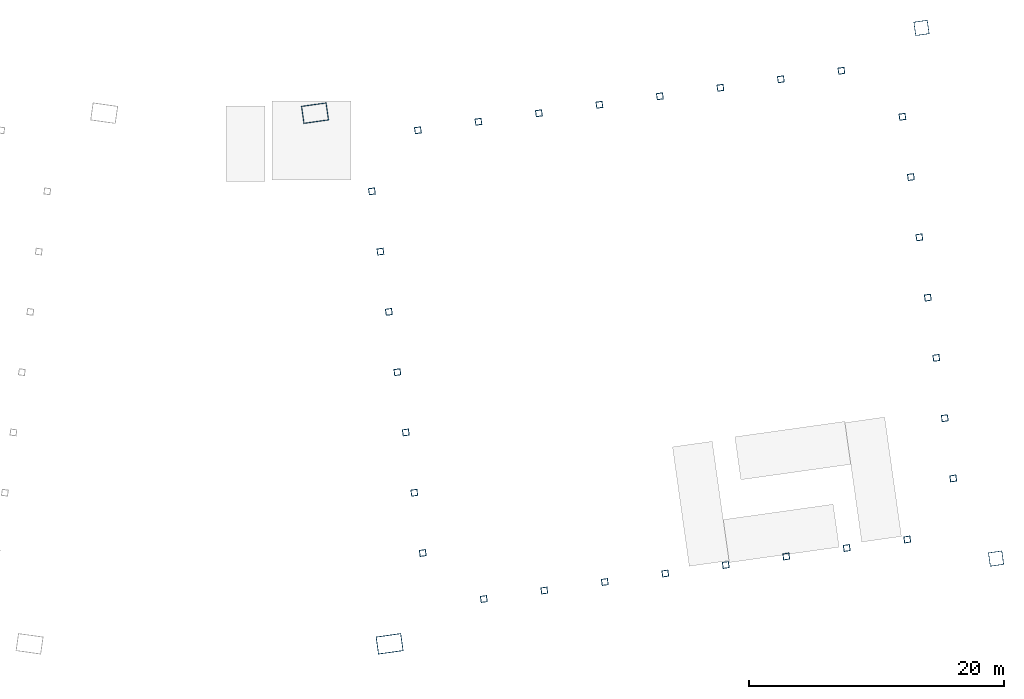
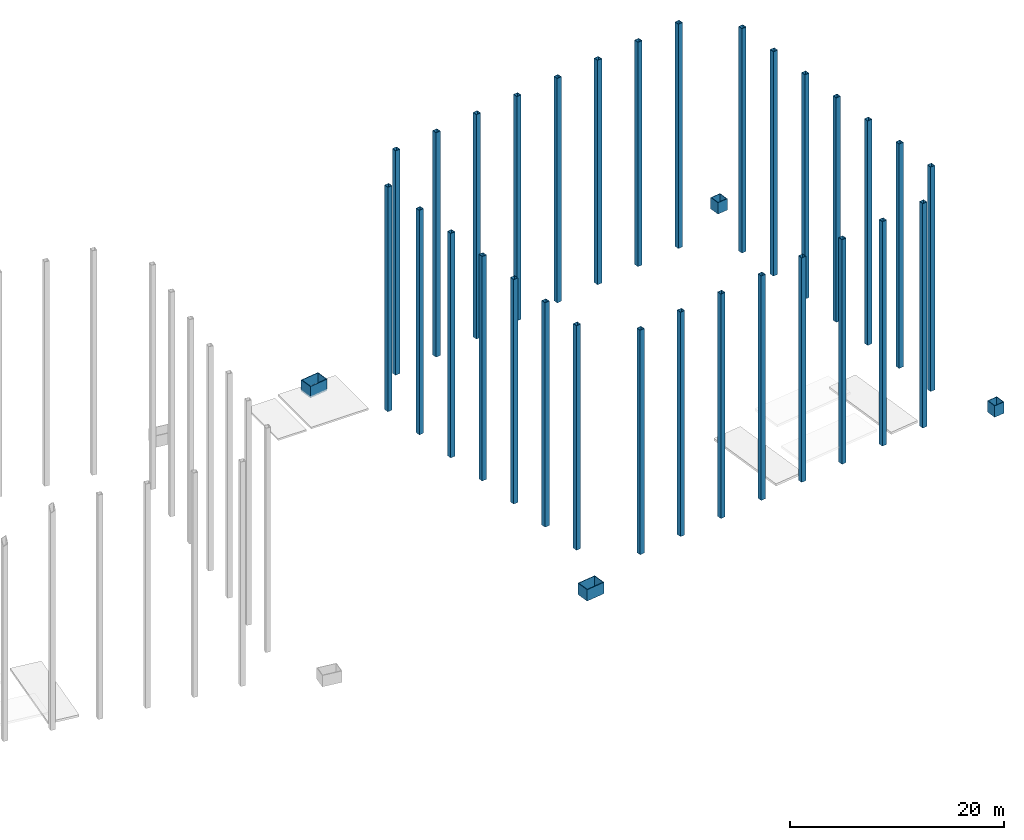
# One storey, part 2 of 3: 34 columns.
"""IFC4 building model written with IfcOpenShell, lengths in metres."""

from ifc_helpers import new_model, si_unit, direction, frame, origin, origin_2d, place, context, subcontext, project, spatial, hollow_rectangle, extrude, material, material_profile, profile_set, type_object, element, save


model = new_model("IFC4")

# Units and contexts
model_context = context("Model", 3, precision=1e-05, world=origin(), true_north=direction((0.0, 1.0)))
body_context = subcontext(model_context, "Body", "Model", "MODEL_VIEW")
ifc_project = project(units=[si_unit("LENGTHUNIT", "METRE"), si_unit("AREAUNIT", "SQUARE_METRE"), si_unit("VOLUMEUNIT", "CUBIC_METRE"), si_unit("PLANEANGLEUNIT", "RADIAN"), si_unit("MASSUNIT", "GRAM", prefix="KILO")], contexts=[model_context])

# Site, building, storey
site_placement = place(None, origin())
site = spatial("IfcSite", under=ifc_project, at=site_placement, CompositionType="ELEMENT")
building_placement = place(site_placement, origin())
building = spatial("IfcBuilding", under=site, at=building_placement, Name="Mirante Cascada Hotel Towers", CompositionType="ELEMENT")
storey_placement = place(building_placement, frame((0.0, 0.0, 272.8)))
storey = spatial("IfcBuildingStorey", under=building, at=storey_placement, Name="Upper roof", CompositionType="ELEMENT", Elevation=272.8)

# Columns
ifc_material_1 = material(Name="Steel ASTM A572 Gr 50", Category="steel")
ifc_material_profile_1 = material_profile(ifc_material_1, hollow_rectangle(XDim=1.1, YDim=1.1, WallThickness=0.05, at=origin_2d()), Name="Box column 1100x1100x50 ASTM A572 Gr 50")
ifc_profile_set_1 = profile_set([ifc_material_profile_1], Name="Steel ASTM A572 Gr 50")
column_type_1 = type_object("IfcColumnType", Name="Box column 1100x1100x50 ASTM A572 Gr 50", PredefinedType="COLUMN", material=ifc_profile_set_1)
for number, where, z_axis, x_axis, name in (
    (1, (55.7951, 22.8316, 0.0), (0.0, 0.0, 1.0), (0.9902681, 0.1391731, 0.0), "Mega column MC3 T2 Roof garden"),
    (2, (61.6404, -18.7596, 0.0), (0.0, 0.0, 1.0), (0.9902681, 0.1391731, 0.0), "Mega column MC4 T2 Roof garden"),
):
    element("IfcColumn", number, at=place(storey_placement, frame(where, z_axis=z_axis, x_axis=x_axis)), inside=storey, type_object=column_type_1, Name=name, PredefinedType="COLUMN", context=body_context, shape_type="SweptSolid", body=[
        extrude(hollow_rectangle(XDim=1.1, YDim=1.1, WallThickness=0.05, at=origin_2d()), origin(), (0.0, 0.0, 1.0), 1.3),
    ])
ifc_material_2 = material(Name="Steel ASTM A572 Gr 50", Category="steel")
ifc_material_profile_2 = material_profile(ifc_material_2, hollow_rectangle(XDim=2.0, YDim=1.4, WallThickness=0.06, at=origin_2d()), Name="Box column 1400x2000x60 ASTM A572 Gr 50")
ifc_profile_set_2 = profile_set([ifc_material_profile_2], Name="Steel ASTM A572 Gr 50")
column_type_2 = type_object("IfcColumnType", Name="Box column 1400x2000x60 ASTM A572 Gr 50", PredefinedType="COLUMN", material=ifc_profile_set_2)
for number, where, z_axis, x_axis, name in (
    (3, (8.2623, 16.1513, 0.0), (0.0, 0.0, 1.0), (0.9902681, 0.1391731, 0.0), "Mega column MC1 T2 Roof garden"),
    (4, (14.1075, -25.4399, 0.0), (0.0, 0.0, 1.0), (0.9902681, 0.1391731, 0.0), "Mega column MC2 T2 Roof garden"),
):
    element("IfcColumn", number, at=place(storey_placement, frame(where, z_axis=z_axis, x_axis=x_axis)), inside=storey, type_object=column_type_2, Name=name, PredefinedType="COLUMN", context=body_context, shape_type="SweptSolid", body=[
        extrude(hollow_rectangle(XDim=2.0, YDim=1.4, WallThickness=0.06, at=origin_2d()), origin(), (0.0, 0.0, 1.0), 1.3),
    ])
ifc_material_3 = material(Name="Steel ASTM A572 Gr 50", Category="steel")
ifc_material_profile_3 = material_profile(ifc_material_3, hollow_rectangle(XDim=0.5, YDim=0.5, WallThickness=0.03, at=origin_2d()), Name="Box column 500x500x30 ASTM A572 Gr 50")
ifc_profile_set_3 = profile_set([ifc_material_profile_3], Name="Steel ASTM A572 Gr 50")
column_type_3 = type_object("IfcColumnType", Name="Box column 500x500x30 ASTM A572 Gr 50", PredefinedType="COLUMN", material=ifc_profile_set_3)
for number, where, z_axis, x_axis, name in (
    (5, (21.4918, -21.928, 0.0), (0.0, 0.0, 1.0), (0.9902681, 0.1391731, 0.0), "CROWN FRAME post T2 1"),
    (6, (16.7071, -18.3225, 0.0), (0.0, 0.0, 1.0), (0.9902681, 0.1391731, 0.0), "CROWN FRAME post T2 2"),
    (7, (16.043, -13.5977, 0.0), (0.0, 0.0, 1.0), (0.9902681, 0.1391731, 0.0), "CROWN FRAME post T2 3"),
    (8, (15.379, -8.8729, 0.0), (0.0, 0.0, 1.0), (0.9902681, 0.1391731, 0.0), "CROWN FRAME post T2 4"),
    (9, (14.715, -4.1482, 0.0), (0.0, 0.0, 1.0), (0.9902681, 0.1391731, 0.0), "CROWN FRAME post T2 5"),
    (10, (14.051, 0.5766, 0.0), (0.0, 0.0, 1.0), (0.9902681, 0.1391731, 0.0), "CROWN FRAME post T2 6"),
    (11, (13.387, 5.3014, 0.0), (0.0, 0.0, 1.0), (0.9902681, 0.1391731, 0.0), "CROWN FRAME post T2 7"),
    (12, (12.7229, 10.0261, 0.0), (0.0, 0.0, 1.0), (0.9902681, 0.1391731, 0.0), "CROWN FRAME post T2 8"),
    (13, (16.3285, 14.8109, 0.0), (0.0, 0.0, 1.0), (0.9902681, 0.1391731, 0.0), "CROWN FRAME post T2 9"),
    (14, (21.0694, 15.4772, 0.0), (0.0, 0.0, 1.0), (0.9902681, 0.1391731, 0.0), "CROWN FRAME post T2 10"),
    (15, (25.8103, 16.1435, 0.0), (0.0, 0.0, 1.0), (0.9902681, 0.1391731, 0.0), "CROWN FRAME post T2 11"),
    (16, (30.5512, 16.8098, 0.0), (0.0, 0.0, 1.0), (0.9902681, 0.1391731, 0.0), "CROWN FRAME post T2 12"),
    (17, (35.2921, 17.4761, 0.0), (0.0, 0.0, 1.0), (0.9902681, 0.1391731, 0.0), "CROWN FRAME post T2 13"),
    (18, (40.033, 18.1423, 0.0), (0.0, 0.0, 1.0), (0.9902681, 0.1391731, 0.0), "CROWN FRAME post T2 14"),
    (19, (44.7739, 18.8086, 0.0), (0.0, 0.0, 1.0), (0.9902681, 0.1391731, 0.0), "CROWN FRAME post T2 15"),
    (20, (49.5148, 19.4749, 0.0), (0.0, 0.0, 1.0), (0.9902681, 0.1391731, 0.0), "CROWN FRAME post T2 16"),
    (21, (54.2995, 15.8694, 0.0), (0.0, 0.0, 1.0), (0.9902681, 0.1391731, 0.0), "CROWN FRAME post T2 17"),
    (22, (54.9636, 11.1446, 0.0), (0.0, 0.0, 1.0), (0.9902681, 0.1391731, 0.0), "CROWN FRAME post T2 18"),
    (23, (55.6276, 6.4198, 0.0), (0.0, 0.0, 1.0), (0.9902681, 0.1391731, 0.0), "CROWN FRAME post T2 19"),
    (24, (56.2916, 1.695, 0.0), (0.0, 0.0, 1.0), (0.9902681, 0.1391731, 0.0), "CROWN FRAME post T2 20"),
    (25, (56.9556, -3.0297, 0.0), (0.0, 0.0, 1.0), (0.9902681, 0.1391731, 0.0), "CROWN FRAME post T2 21"),
    (26, (57.6197, -7.7545, 0.0), (0.0, 0.0, 1.0), (0.9902681, 0.1391731, 0.0), "CROWN FRAME post T2 22"),
    (27, (58.2837, -12.4793, 0.0), (0.0, 0.0, 1.0), (0.9902681, 0.1391731, 0.0), "CROWN FRAME post T2 23"),
    (28, (54.6781, -17.264, 0.0), (0.0, 0.0, 1.0), (0.9902681, 0.1391731, 0.0), "CROWN FRAME post T2 24"),
    (29, (49.9372, -17.9303, 0.0), (0.0, 0.0, 1.0), (0.9902681, 0.1391731, 0.0), "CROWN FRAME post T2 25"),
    (30, (45.1963, -18.5966, 0.0), (0.0, 0.0, 1.0), (0.9902681, 0.1391731, 0.0), "CROWN FRAME post T2 26"),
    (31, (40.4554, -19.2629, 0.0), (0.0, 0.0, 1.0), (0.9902681, 0.1391731, 0.0), "CROWN FRAME post T2 27"),
    (32, (35.7145, -19.9292, 0.0), (0.0, 0.0, 1.0), (0.9902681, 0.1391731, 0.0), "CROWN FRAME post T2 28"),
    (33, (30.9736, -20.5955, 0.0), (0.0, 0.0, 1.0), (0.9902681, 0.1391731, 0.0), "CROWN FRAME post T2 29"),
    (34, (26.2327, -21.2618, 0.0), (0.0, 0.0, 1.0), (0.9902681, 0.1391731, 0.0), "CROWN FRAME post T2 30"),
):
    element("IfcColumn", number, at=place(storey_placement, frame(where, z_axis=z_axis, x_axis=x_axis)), inside=storey, type_object=column_type_3, Name=name, PredefinedType="COLUMN", context=body_context, shape_type="SweptSolid", body=[
        extrude(hollow_rectangle(XDim=0.5, YDim=0.5, WallThickness=0.03, at=origin_2d()), origin(), (0.0, 0.0, 1.0), 25.6),
    ])

save(model, "model.ifc")
